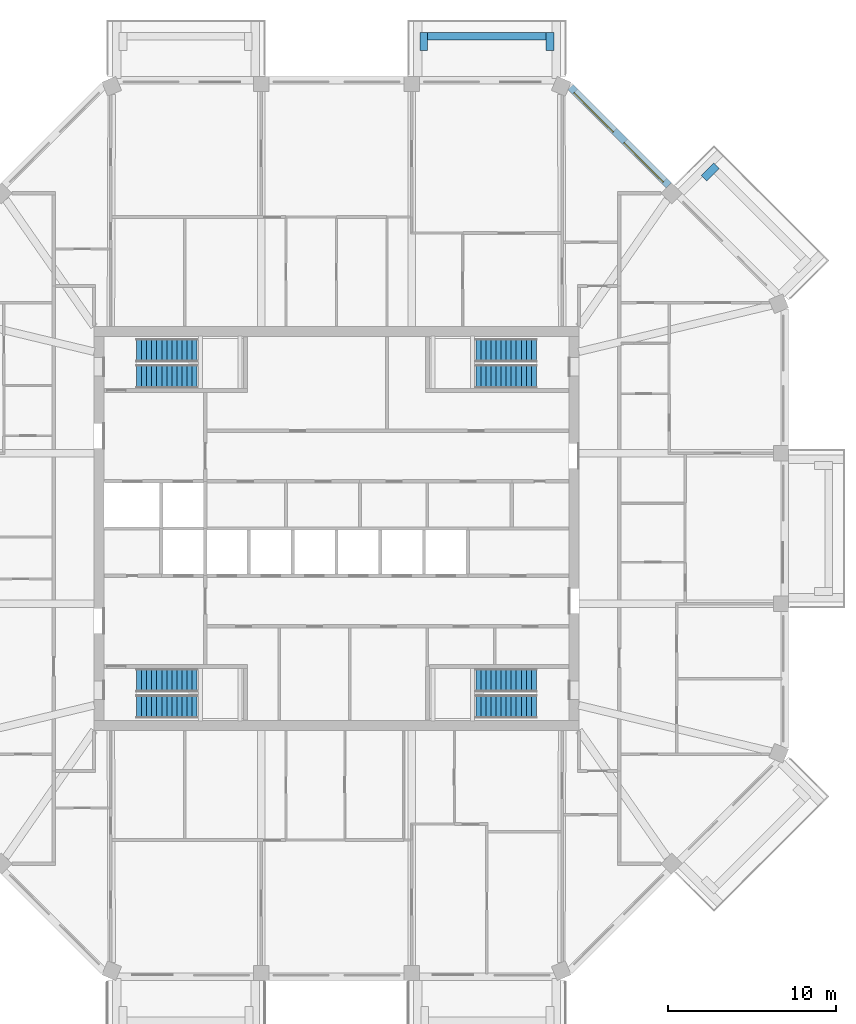
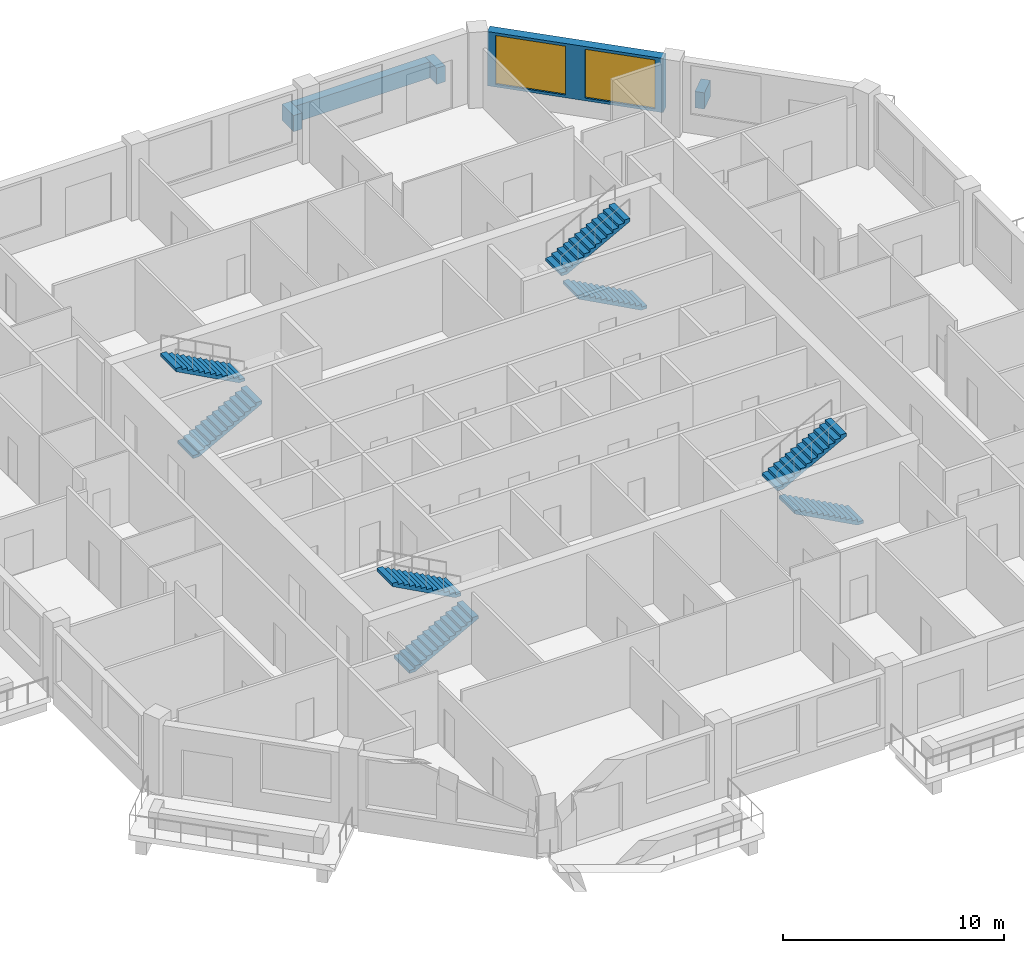
# One storey, part 10 of 12: 8 stair flights, 5 walls, 2 windows, 2 openings, 4 elements without a shape of their own.
"""IFC4 building model written with IfcOpenShell, lengths in metres."""

from ifc_helpers import new_model, si_unit, direction, frame, frame_2d, origin, place, context, subcontext, project, spatial, polyline, rectangle, outline, extrude, material, layer, layer_set, type_object, element, fill, aggregate, save


model = new_model("IFC4")

# Units and contexts
model_context = context("Model", 3, precision=1e-05, world=origin(), true_north=direction((0.0, 1.0)))
body_context = subcontext(model_context, "Body", "Model", "MODEL_VIEW")
ifc_project = project(units=[si_unit("LENGTHUNIT", "METRE"), si_unit("AREAUNIT", "SQUARE_METRE"), si_unit("VOLUMEUNIT", "CUBIC_METRE"), si_unit("PLANEANGLEUNIT", "RADIAN"), si_unit("MASSUNIT", "GRAM", prefix="KILO")], contexts=[model_context])

# Site, building, storey
site_placement = place(None, origin())
site = spatial("IfcSite", under=ifc_project, at=site_placement, CompositionType="ELEMENT")
building_placement = place(site_placement, origin())
building = spatial("IfcBuilding", under=site, at=building_placement, Name="Msitu Wima Residences", CompositionType="ELEMENT")
storey_placement = place(building_placement, frame((0.0, 0.0, 218.10009765625)))
storey = spatial("IfcBuildingStorey", under=building, at=storey_placement, Name="L50", CompositionType="ELEMENT", Elevation=218.10009765625)

# Walls
ifc_material_1 = material(Name="Facing brick")
ifc_layer_1 = layer(ifc_material_1, 0.06494140625, Name="Facing brick")
ifc_material_2 = material(Name="Concrete C40/50", Category="concrete")
ifc_layer_2 = layer(ifc_material_2, 0.156005859375, Name="Concrete C40/50")
ifc_material_3 = material(Name="Waterproofing membrane")
ifc_layer_3 = layer(ifc_material_3, 0.00390625, Name="Waterproofing membrane")
ifc_material_4 = material(Name="Planting soil and planting")
ifc_layer_4 = layer(ifc_material_4, 0.22509765625, Name="Planting soil and planting")
ifc_layer_set_1 = layer_set([ifc_layer_1, ifc_layer_2, ifc_layer_3, ifc_layer_4], Name="Concrete C40/50")
wall_type_1 = type_object("IfcWallType", Name="Balcony planter PLANTER PL450", PredefinedType="USERDEFINED", material=ifc_layer_set_1)
wall_1_placement = place(storey_placement, frame((21.829833984375, 20.804443359375, 0.0), z_axis=(0.0, 0.0, 1.0), x_axis=(0.707106781187, 0.707106781187, 0.0)))
element("IfcWall", 1, at=wall_1_placement, inside=storey, type_object=wall_type_1, Name="Balcony planter NE0 L50", ObjectType="PLANTER", PredefinedType="USERDEFINED", context=body_context, shape_type="SweptSolid", body=[
    extrude(rectangle(XDim=1.050048828125, YDim=0.449951171875, at=frame_2d((0.52490234375, 0.0))), origin(), (0.0, 0.0, 1.0), 0.89990234375),
])
wall_2_placement = place(storey_placement, frame((12.455810546875, 29.22509765625, 0.0), z_axis=(0.0, 0.0, 1.0), x_axis=(-1.0, 0.0, 0.0)))
element("IfcWall", 2, at=wall_2_placement, inside=storey, type_object=wall_type_1, Name="Balcony planter N0 L50", ObjectType="PLANTER", PredefinedType="USERDEFINED", context=body_context, shape_type="SweptSolid", body=[
    extrude(rectangle(XDim=7.037109375, YDim=0.449951171875, at=frame_2d((3.5185546875, 0.0))), origin(), (0.0, 0.0, 1.0), 0.89990234375),
])
for number, where, z_axis, x_axis, name in (
    (3, (12.680908203125, 28.39990234375, 0.0), (0.0, 0.0, 1.0), (0.0, 1.0, 0.0), "Balcony planter N0 L50"),
    (4, (5.193603515625, 28.39990234375, 0.0), (0.0, 0.0, 1.0), (0.0, 1.0, 0.0), "Balcony planter N0 L50"),
):
    element("IfcWall", number, at=place(storey_placement, frame(where, z_axis=z_axis, x_axis=x_axis)), inside=storey, type_object=wall_type_1, Name=name, ObjectType="PLANTER", PredefinedType="USERDEFINED", context=body_context, shape_type="SweptSolid", body=[
        extrude(rectangle(XDim=1.050048828125, YDim=0.449951171875, at=frame_2d((0.52490234375, 0.0))), origin(), (0.0, 0.0, 1.0), 0.89990234375),
    ])

# Wall, openings, windows
ifc_material_5 = material(Name="Brick (red buff mix)", Category="masonry")
ifc_layer_5 = layer(ifc_material_5, 0.449951171875)
ifc_layer_set_2 = layer_set([ifc_layer_5], Name="Brick (red buff mix)")
wall_type_2 = type_object("IfcWallType", Name="Brick infill wall BW450", PredefinedType="SOLIDWALL", material=ifc_layer_set_2)
wall_3_placement = place(storey_placement, frame((19.743896484375, 20.380126953125, 0.89990234375), z_axis=(0.0, 0.0, 1.0), x_axis=(-0.707106781187, 0.707106781187, 0.0)))
wall_3 = element("IfcWall", 5, at=wall_3_placement, inside=storey, type_object=wall_type_2, Name="Brick infill wall L50 NE1", PredefinedType="SOLIDWALL", context=body_context, shape_type="SweptSolid", body=[
    extrude(rectangle(XDim=8.251220703125, YDim=0.449951171875, at=frame_2d((4.12548828125, 0.0))), origin(), (0.0, 0.0, 1.0), 3.0),
])
opening_1_placement = place(wall_3_placement, frame((0.37548828125, 0.0, 0.14990234375)))
opening_1 = element("IfcOpeningElement", 6, at=opening_1_placement, cuts=wall_3, Name="Opening W50-51.011", PredefinedType="OPENING", context=body_context, shape_type="SweptSolid", body=[
    extrude(rectangle(XDim=3.300048828125, YDim=2.699951171875, at=frame_2d((1.64990234375, 1.35009765625))), frame((0.0, 0.23486328125, 0.0), z_axis=(0.0, -1.0, 0.0), x_axis=(1.0, 0.0, 0.0)), (0.0, 0.0, 1.0), 0.469970703125),
])
opening_2_placement = place(wall_3_placement, frame((4.57568359375, 0.0, 0.14990234375)))
opening_2 = element("IfcOpeningElement", 7, at=opening_2_placement, cuts=wall_3, Name="Opening W50-51.012", PredefinedType="OPENING", context=body_context, shape_type="SweptSolid", body=[
    extrude(rectangle(XDim=3.300048828125, YDim=2.699951171875, at=frame_2d((1.64990234375, 1.35009765625))), frame((0.0, 0.23486328125, 0.0), z_axis=(0.0, -1.0, 0.0), x_axis=(1.0, 0.0, 0.0)), (0.0, 0.0, 1.0), 0.469970703125),
])
ifc_material_6 = material(Name="Anodised aluminium, bronze finish, clear low-emissivity double glazing", Category="aluminium")
window_type = type_object("IfcWindowType", Name="Window W3300x2700", PartitioningType="DOUBLE_PANEL_VERTICAL", PredefinedType="WINDOW", material=ifc_material_6)
window_1_placement = place(opening_1_placement, origin())
window_1 = element("IfcWindow", 8, at=window_1_placement, inside=storey, type_object=window_type, Name="Window L50 NE1.1", OverallHeight=2.699951171875, OverallWidth=3.300048828125, PartitioningType="SINGLE_PANEL", PredefinedType="WINDOW", context=body_context, shape_type="SweptSolid", body=[
    extrude(rectangle(XDim=3.300048828125, YDim=2.699951171875, at=frame_2d((1.64990234375, 1.35009765625))), frame((0.0, 0.135009765625, 0.0), z_axis=(0.0, -1.0, 0.0), x_axis=(1.0, 0.0, 0.0)), (0.0, 0.0, 1.0), 0.06005859375),
])
fill(opening_1, window_1)
window_2_placement = place(opening_2_placement, origin())
window_2 = element("IfcWindow", 9, at=window_2_placement, inside=storey, type_object=window_type, Name="Window L50 NE1.2", OverallHeight=2.699951171875, OverallWidth=3.300048828125, PartitioningType="SINGLE_PANEL", PredefinedType="WINDOW", context=body_context, shape_type="SweptSolid", body=[
    extrude(rectangle(XDim=3.300048828125, YDim=2.699951171875, at=frame_2d((1.64990234375, 1.35009765625))), frame((0.0, 0.135009765625, 0.0), z_axis=(0.0, -1.0, 0.0), x_axis=(1.0, 0.0, 0.0)), (0.0, 0.0, 1.0), 0.06005859375),
])
fill(opening_2, window_2)

# Stair, stair flights
stair_type = type_object("IfcStairType", Name="Exit stair ES1615-140", PredefinedType="HALF_TURN_STAIR", material=ifc_material_2)
stair_1_placement = place(storey_placement, origin())
stair_1 = element("IfcStair", 10, at=stair_1_placement, inside=storey, type_object=stair_type, Name="Exit stair 1", PredefinedType="HALF_TURN_STAIR")
stair_flight_type = type_object("IfcStairFlightType", Name="Exit stair flight ES1615-140", PredefinedType="STRAIGHT", material=ifc_material_2)
stair_flight_1_placement = place(storey_placement, frame((-11.875, 9.02490234375, 0.0), z_axis=(0.0, 0.0, 1.0), x_axis=(1.0, 0.0, 0.0)))
stair_flight_1 = element("IfcStairFlight", 11, at=stair_flight_1_placement, type_object=stair_flight_type, Name="S1 flight 1", NumberOfRisers=13, NumberOfTreads=12, PredefinedType="STRAIGHT", RiserHeight=0.161538462, TreadLength=0.3, context=body_context, shape_type="SweptSolid", body=[
    extrude(outline(polyline([(0.0, 0.0), (0.0, 0.16162109375), (0.300048828125, 0.16162109375), (0.300048828125, 0.322998046875), (0.60009765625, 0.322998046875), (0.60009765625, 0.484619140625), (0.89990234375, 0.484619140625), (0.89990234375, 0.646240234375), (1.199951171875, 0.646240234375), (1.199951171875, 0.8076171875), (1.5, 0.8076171875), (1.5, 0.96923828125), (1.800048828125, 0.96923828125), (1.800048828125, 1.130859375), (2.10009765625, 1.130859375), (2.10009765625, 1.292236328125), (2.39990234375, 1.292236328125), (2.39990234375, 1.453857421875), (2.699951171875, 1.453857421875), (2.699951171875, 1.615478515625), (3.0, 1.615478515625), (3.0, 1.77685546875), (3.300048828125, 1.77685546875), (3.300048828125, 1.9384765625), (3.60009765625, 1.9384765625), (3.60009765625, 2.10009765625), (3.60009765625, 1.768310546875), (0.316162109375, 0.0), (0.0, 0.0)])), frame((0.0, 0.699951171875, 0.0), z_axis=(0.0, -1.0, 0.0), x_axis=(1.0, 0.0, 0.0)), (0.0, 0.0, 1.0), 1.39990234375),
])
stair_flight_2_placement = place(storey_placement, frame((-8.27490234375, 10.574951171875, 2.099853515625), z_axis=(0.0, 0.0, 1.0), x_axis=(-1.0, 0.0, 0.0)))
stair_flight_2 = element("IfcStairFlight", 12, at=stair_flight_2_placement, type_object=stair_flight_type, Name="S1 flight 2", NumberOfRisers=13, NumberOfTreads=12, PredefinedType="STRAIGHT", RiserHeight=0.161538462, TreadLength=0.3, context=body_context, shape_type="SweptSolid", body=[
    extrude(outline(polyline([(0.0, 0.0), (0.0, 0.16162109375), (0.300048828125, 0.16162109375), (0.300048828125, 0.322998046875), (0.60009765625, 0.322998046875), (0.60009765625, 0.484619140625), (0.89990234375, 0.484619140625), (0.89990234375, 0.646240234375), (1.199951171875, 0.646240234375), (1.199951171875, 0.8076171875), (1.5, 0.8076171875), (1.5, 0.96923828125), (1.800048828125, 0.96923828125), (1.800048828125, 1.130859375), (2.10009765625, 1.130859375), (2.10009765625, 1.292236328125), (2.39990234375, 1.292236328125), (2.39990234375, 1.453857421875), (2.699951171875, 1.453857421875), (2.699951171875, 1.615478515625), (3.0, 1.615478515625), (3.0, 1.77685546875), (3.300048828125, 1.77685546875), (3.300048828125, 1.9384765625), (3.60009765625, 1.9384765625), (3.60009765625, 2.10009765625), (3.60009765625, 1.768310546875), (0.316162109375, 0.0), (0.0, 0.0)])), frame((0.0, 0.699951171875, 0.0), z_axis=(0.0, -1.0, 0.0), x_axis=(1.0, 0.0, 0.0)), (0.0, 0.0, 1.0), 1.39990234375),
])
aggregate(stair_1, [stair_flight_1, stair_flight_2])

stair_2_placement = place(storey_placement, origin())
stair_2 = element("IfcStair", 13, at=stair_2_placement, inside=storey, type_object=stair_type, Name="Exit stair 2", PredefinedType="HALF_TURN_STAIR")
stair_flight_3_placement = place(storey_placement, frame((-11.875, -10.574951171875, 0.0), z_axis=(0.0, 0.0, 1.0), x_axis=(1.0, 0.0, 0.0)))
stair_flight_3 = element("IfcStairFlight", 14, at=stair_flight_3_placement, type_object=stair_flight_type, Name="S2 flight 1", NumberOfRisers=13, NumberOfTreads=12, PredefinedType="STRAIGHT", RiserHeight=0.161538462, TreadLength=0.3, context=body_context, shape_type="SweptSolid", body=[
    extrude(outline(polyline([(0.0, 0.0), (0.0, 0.16162109375), (0.300048828125, 0.16162109375), (0.300048828125, 0.322998046875), (0.60009765625, 0.322998046875), (0.60009765625, 0.484619140625), (0.89990234375, 0.484619140625), (0.89990234375, 0.646240234375), (1.199951171875, 0.646240234375), (1.199951171875, 0.8076171875), (1.5, 0.8076171875), (1.5, 0.96923828125), (1.800048828125, 0.96923828125), (1.800048828125, 1.130859375), (2.10009765625, 1.130859375), (2.10009765625, 1.292236328125), (2.39990234375, 1.292236328125), (2.39990234375, 1.453857421875), (2.699951171875, 1.453857421875), (2.699951171875, 1.615478515625), (3.0, 1.615478515625), (3.0, 1.77685546875), (3.300048828125, 1.77685546875), (3.300048828125, 1.9384765625), (3.60009765625, 1.9384765625), (3.60009765625, 2.10009765625), (3.60009765625, 1.768310546875), (0.316162109375, 0.0), (0.0, 0.0)])), frame((0.0, 0.699951171875, 0.0), z_axis=(0.0, -1.0, 0.0), x_axis=(1.0, 0.0, 0.0)), (0.0, 0.0, 1.0), 1.39990234375),
])
stair_flight_4_placement = place(storey_placement, frame((-8.27490234375, -9.02490234375, 2.099853515625), z_axis=(0.0, 0.0, 1.0), x_axis=(-1.0, 0.0, 0.0)))
stair_flight_4 = element("IfcStairFlight", 15, at=stair_flight_4_placement, type_object=stair_flight_type, Name="S2 flight 2", NumberOfRisers=13, NumberOfTreads=12, PredefinedType="STRAIGHT", RiserHeight=0.161538462, TreadLength=0.3, context=body_context, shape_type="SweptSolid", body=[
    extrude(outline(polyline([(0.0, 0.0), (0.0, 0.16162109375), (0.300048828125, 0.16162109375), (0.300048828125, 0.322998046875), (0.60009765625, 0.322998046875), (0.60009765625, 0.484619140625), (0.89990234375, 0.484619140625), (0.89990234375, 0.646240234375), (1.199951171875, 0.646240234375), (1.199951171875, 0.8076171875), (1.5, 0.8076171875), (1.5, 0.96923828125), (1.800048828125, 0.96923828125), (1.800048828125, 1.130859375), (2.10009765625, 1.130859375), (2.10009765625, 1.292236328125), (2.39990234375, 1.292236328125), (2.39990234375, 1.453857421875), (2.699951171875, 1.453857421875), (2.699951171875, 1.615478515625), (3.0, 1.615478515625), (3.0, 1.77685546875), (3.300048828125, 1.77685546875), (3.300048828125, 1.9384765625), (3.60009765625, 1.9384765625), (3.60009765625, 2.10009765625), (3.60009765625, 1.768310546875), (0.316162109375, 0.0), (0.0, 0.0)])), frame((0.0, 0.699951171875, 0.0), z_axis=(0.0, -1.0, 0.0), x_axis=(1.0, 0.0, 0.0)), (0.0, 0.0, 1.0), 1.39990234375),
])
aggregate(stair_2, [stair_flight_3, stair_flight_4])

stair_3_placement = place(storey_placement, origin())
stair_3 = element("IfcStair", 16, at=stair_3_placement, inside=storey, type_object=stair_type, Name="Exit stair 3", PredefinedType="HALF_TURN_STAIR")
stair_flight_5_placement = place(storey_placement, frame((11.875, 9.02490234375, 0.0), z_axis=(0.0, 0.0, 1.0), x_axis=(-1.0, 0.0, 0.0)))
stair_flight_5 = element("IfcStairFlight", 17, at=stair_flight_5_placement, type_object=stair_flight_type, Name="S3 flight 1", NumberOfRisers=13, NumberOfTreads=12, PredefinedType="STRAIGHT", RiserHeight=0.161538462, TreadLength=0.3, context=body_context, shape_type="SweptSolid", body=[
    extrude(outline(polyline([(0.0, 0.0), (0.0, 0.16162109375), (0.300048828125, 0.16162109375), (0.300048828125, 0.322998046875), (0.60009765625, 0.322998046875), (0.60009765625, 0.484619140625), (0.89990234375, 0.484619140625), (0.89990234375, 0.646240234375), (1.199951171875, 0.646240234375), (1.199951171875, 0.8076171875), (1.5, 0.8076171875), (1.5, 0.96923828125), (1.800048828125, 0.96923828125), (1.800048828125, 1.130859375), (2.10009765625, 1.130859375), (2.10009765625, 1.292236328125), (2.39990234375, 1.292236328125), (2.39990234375, 1.453857421875), (2.699951171875, 1.453857421875), (2.699951171875, 1.615478515625), (3.0, 1.615478515625), (3.0, 1.77685546875), (3.300048828125, 1.77685546875), (3.300048828125, 1.9384765625), (3.60009765625, 1.9384765625), (3.60009765625, 2.10009765625), (3.60009765625, 1.768310546875), (0.316162109375, 0.0), (0.0, 0.0)])), frame((0.0, 0.699951171875, 0.0), z_axis=(0.0, -1.0, 0.0), x_axis=(1.0, 0.0, 0.0)), (0.0, 0.0, 1.0), 1.39990234375),
])
stair_flight_6_placement = place(storey_placement, frame((8.27490234375, 10.574951171875, 2.099853515625), z_axis=(0.0, 0.0, 1.0), x_axis=(1.0, 0.0, 0.0)))
stair_flight_6 = element("IfcStairFlight", 18, at=stair_flight_6_placement, type_object=stair_flight_type, Name="S3 flight 2", NumberOfRisers=13, NumberOfTreads=12, PredefinedType="STRAIGHT", RiserHeight=0.161538462, TreadLength=0.3, context=body_context, shape_type="SweptSolid", body=[
    extrude(outline(polyline([(0.0, 0.0), (0.0, 0.16162109375), (0.300048828125, 0.16162109375), (0.300048828125, 0.322998046875), (0.60009765625, 0.322998046875), (0.60009765625, 0.484619140625), (0.89990234375, 0.484619140625), (0.89990234375, 0.646240234375), (1.199951171875, 0.646240234375), (1.199951171875, 0.8076171875), (1.5, 0.8076171875), (1.5, 0.96923828125), (1.800048828125, 0.96923828125), (1.800048828125, 1.130859375), (2.10009765625, 1.130859375), (2.10009765625, 1.292236328125), (2.39990234375, 1.292236328125), (2.39990234375, 1.453857421875), (2.699951171875, 1.453857421875), (2.699951171875, 1.615478515625), (3.0, 1.615478515625), (3.0, 1.77685546875), (3.300048828125, 1.77685546875), (3.300048828125, 1.9384765625), (3.60009765625, 1.9384765625), (3.60009765625, 2.10009765625), (3.60009765625, 1.768310546875), (0.316162109375, 0.0), (0.0, 0.0)])), frame((0.0, 0.699951171875, 0.0), z_axis=(0.0, -1.0, 0.0), x_axis=(1.0, 0.0, 0.0)), (0.0, 0.0, 1.0), 1.39990234375),
])
aggregate(stair_3, [stair_flight_5, stair_flight_6])

stair_4_placement = place(storey_placement, origin())
stair_4 = element("IfcStair", 19, at=stair_4_placement, inside=storey, type_object=stair_type, Name="Exit stair 4", PredefinedType="HALF_TURN_STAIR")
stair_flight_7_placement = place(storey_placement, frame((11.875, -10.574951171875, 0.0), z_axis=(0.0, 0.0, 1.0), x_axis=(-1.0, 0.0, 0.0)))
stair_flight_7 = element("IfcStairFlight", 20, at=stair_flight_7_placement, type_object=stair_flight_type, Name="S4 flight 1", NumberOfRisers=13, NumberOfTreads=12, PredefinedType="STRAIGHT", RiserHeight=0.161538462, TreadLength=0.3, context=body_context, shape_type="SweptSolid", body=[
    extrude(outline(polyline([(0.0, 0.0), (0.0, 0.16162109375), (0.300048828125, 0.16162109375), (0.300048828125, 0.322998046875), (0.60009765625, 0.322998046875), (0.60009765625, 0.484619140625), (0.89990234375, 0.484619140625), (0.89990234375, 0.646240234375), (1.199951171875, 0.646240234375), (1.199951171875, 0.8076171875), (1.5, 0.8076171875), (1.5, 0.96923828125), (1.800048828125, 0.96923828125), (1.800048828125, 1.130859375), (2.10009765625, 1.130859375), (2.10009765625, 1.292236328125), (2.39990234375, 1.292236328125), (2.39990234375, 1.453857421875), (2.699951171875, 1.453857421875), (2.699951171875, 1.615478515625), (3.0, 1.615478515625), (3.0, 1.77685546875), (3.300048828125, 1.77685546875), (3.300048828125, 1.9384765625), (3.60009765625, 1.9384765625), (3.60009765625, 2.10009765625), (3.60009765625, 1.768310546875), (0.316162109375, 0.0), (0.0, 0.0)])), frame((0.0, 0.699951171875, 0.0), z_axis=(0.0, -1.0, 0.0), x_axis=(1.0, 0.0, 0.0)), (0.0, 0.0, 1.0), 1.39990234375),
])
stair_flight_8_placement = place(storey_placement, frame((8.27490234375, -9.02490234375, 2.099853515625), z_axis=(0.0, 0.0, 1.0), x_axis=(1.0, 0.0, 0.0)))
stair_flight_8 = element("IfcStairFlight", 21, at=stair_flight_8_placement, type_object=stair_flight_type, Name="S4 flight 2", NumberOfRisers=13, NumberOfTreads=12, PredefinedType="STRAIGHT", RiserHeight=0.161538462, TreadLength=0.3, context=body_context, shape_type="SweptSolid", body=[
    extrude(outline(polyline([(0.0, 0.0), (0.0, 0.16162109375), (0.300048828125, 0.16162109375), (0.300048828125, 0.322998046875), (0.60009765625, 0.322998046875), (0.60009765625, 0.484619140625), (0.89990234375, 0.484619140625), (0.89990234375, 0.646240234375), (1.199951171875, 0.646240234375), (1.199951171875, 0.8076171875), (1.5, 0.8076171875), (1.5, 0.96923828125), (1.800048828125, 0.96923828125), (1.800048828125, 1.130859375), (2.10009765625, 1.130859375), (2.10009765625, 1.292236328125), (2.39990234375, 1.292236328125), (2.39990234375, 1.453857421875), (2.699951171875, 1.453857421875), (2.699951171875, 1.615478515625), (3.0, 1.615478515625), (3.0, 1.77685546875), (3.300048828125, 1.77685546875), (3.300048828125, 1.9384765625), (3.60009765625, 1.9384765625), (3.60009765625, 2.10009765625), (3.60009765625, 1.768310546875), (0.316162109375, 0.0), (0.0, 0.0)])), frame((0.0, 0.699951171875, 0.0), z_axis=(0.0, -1.0, 0.0), x_axis=(1.0, 0.0, 0.0)), (0.0, 0.0, 1.0), 1.39990234375),
])
aggregate(stair_4, [stair_flight_7, stair_flight_8])

save(model, "model.ifc")
